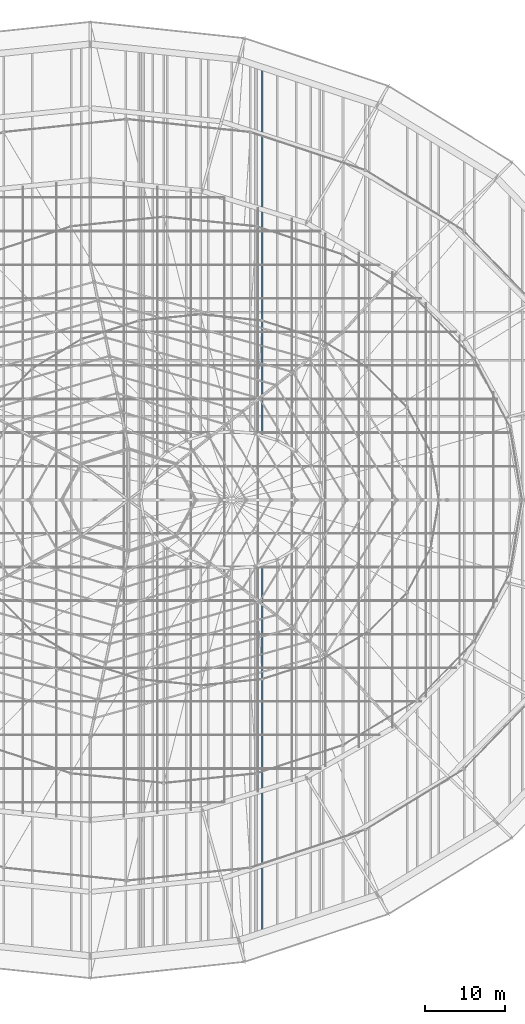
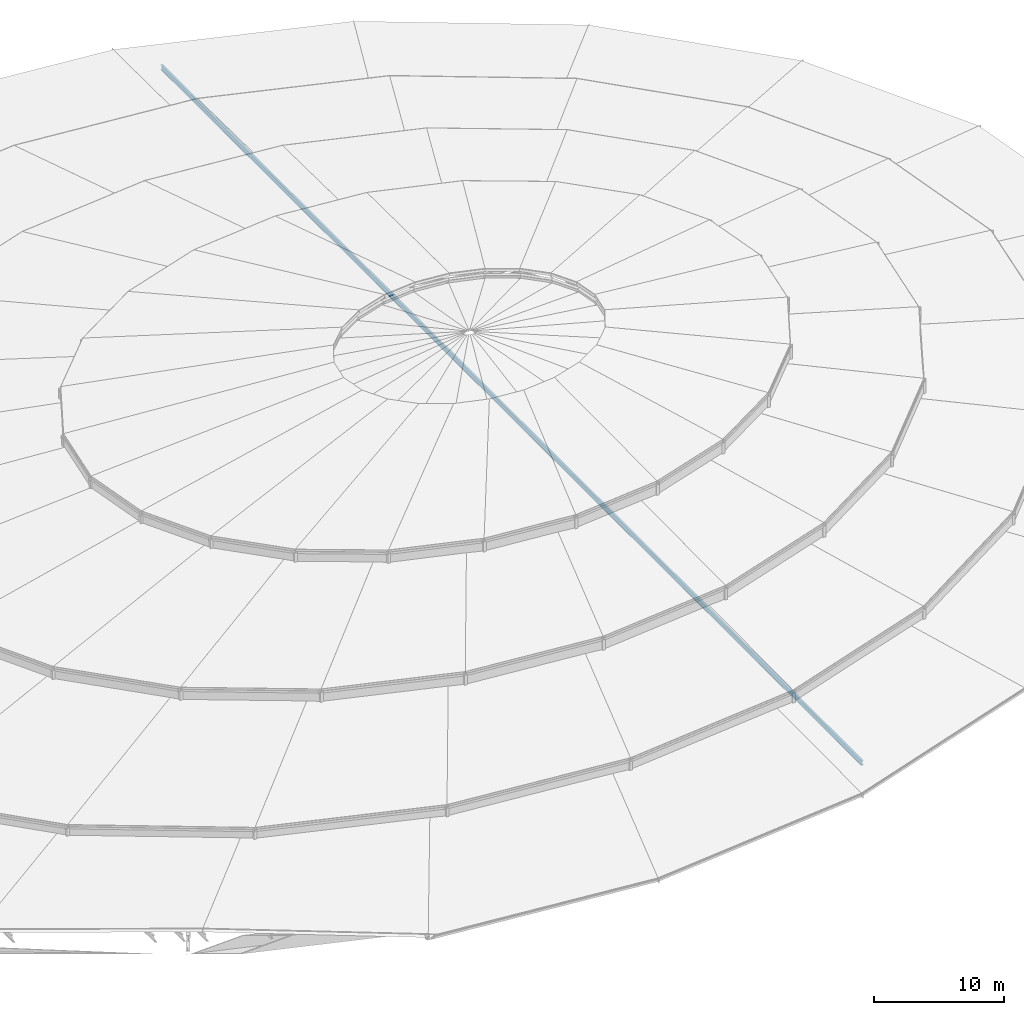
# One storey, part 76 of 184: 1 member.
"""IFC4 building model written with IfcOpenShell, lengths in metres."""

import ifcopenshell
import ifcopenshell.guid

model = None  # the IFC model being written
_history = None  # IfcOwnerHistory: only IFC2X3 demands one
_inside = {}  # id of a spatial element -> (the spatial element, [elements in it])
_under = {}  # id of a project, library or spatial element -> (it, [spatial elements below it])
_declared = {}  # id of a project -> (the project, [libraries it declares])
_typed = {}  # id of a type object -> (the type object, [elements of that type])
_made_of = {}  # id of a material, layer set ... -> (it, [elements and type objects made of it])


def new_model(schema):
    """Start an empty IFC model of exactly this schema.

    Asked for "IFC4X3", IfcOpenShell would pick the latest addendum, in which some entities
    have other attributes; the version numbers below select the first issue.
    IFC2X3 requires an IfcOwnerHistory on every rooted entity: one is made here for all.
    """
    global model, _history
    if schema == "IFC4X3":
        model = ifcopenshell.file(schema_version=(4, 3, 0, 0))
    else:
        model = ifcopenshell.file(schema=schema)
    _inside.clear()
    _under.clear()
    _declared.clear()
    _typed.clear()
    _made_of.clear()
    _history = None
    if model.schema == "IFC2X3":
        org = make("IfcOrganization", Name="unknown")
        user = make(
            "IfcPersonAndOrganization",
            ThePerson=make("IfcPerson", FamilyName="unknown"),
            TheOrganization=org,
        )
        app = make(
            "IfcApplication",
            ApplicationDeveloper=org,
            Version="unknown",
            ApplicationFullName="unknown",
            ApplicationIdentifier="unknown",
        )
        _history = make(
            "IfcOwnerHistory",
            OwningUser=user,
            OwningApplication=app,
            ChangeAction="ADDED",
            CreationDate=0,
        )
    return model


def make(cls, **values):
    """One entity of the class cls with the attributes given. An attribute that is None is left unset."""
    return model.create_entity(
        cls, **{name: value for name, value in values.items() if value is not None}
    )


def rooted(cls, **values):
    """An entity with a GlobalId (a new one), such as an element, a storey or a relation."""
    return make(cls, GlobalId=ifcopenshell.guid.new(), OwnerHistory=_history, **values)


def si_unit(unit_type, name, prefix=None):
    """IfcSIUnit, for example si_unit("LENGTHUNIT", "METRE", prefix="MILLI")."""
    return make("IfcSIUnit", UnitType=unit_type, Prefix=prefix, Name=name)


def assignment(units):
    """IfcUnitAssignment: the units of a project."""
    return None if units is None else make("IfcUnitAssignment", Units=units)


def point(xyz):
    """IfcCartesianPoint."""
    return None if xyz is None else make("IfcCartesianPoint", Coordinates=xyz)


def direction(xyz):
    """IfcDirection."""
    return None if xyz is None else make("IfcDirection", DirectionRatios=xyz)


def frame(location, z_axis=None, x_axis=None):
    """IfcAxis2Placement3D, a coordinate frame: its origin and axes. An axis left out is left unset."""
    return make(
        "IfcAxis2Placement3D",
        Location=point(location),
        Axis=direction(z_axis),
        RefDirection=direction(x_axis),
    )


def frame_2d(location, x_axis=None):
    """IfcAxis2Placement2D, a coordinate frame in the plane: its origin and x axis."""
    return make(
        "IfcAxis2Placement2D", Location=point(location), RefDirection=direction(x_axis)
    )


def origin():
    """The frame at (0, 0, 0) with its axes left unset."""
    return frame((0.0, 0.0, 0.0))


def origin_2d():
    """The frame at (0, 0) in the plane with its x axis left unset."""
    return frame_2d((0.0, 0.0))


def place(relative_to, where):
    """IfcLocalPlacement: puts the frame where relative to a parent placement (None: the world)."""
    return make(
        "IfcLocalPlacement", PlacementRelTo=relative_to, RelativePlacement=where
    )


def context(
    kind, dimensions, precision=None, world=None, true_north=None, identifier=None
):
    """IfcGeometricRepresentationContext, for example the 3D "Model" context."""
    return make(
        "IfcGeometricRepresentationContext",
        ContextIdentifier=identifier,
        ContextType=kind,
        CoordinateSpaceDimension=dimensions,
        Precision=precision,
        WorldCoordinateSystem=world,
        TrueNorth=true_north,
    )


def subcontext(parent, identifier, kind, view, scale=None):
    """IfcGeometricRepresentationSubContext, for example "Body" below "Model"."""
    return make(
        "IfcGeometricRepresentationSubContext",
        ContextIdentifier=identifier,
        ContextType=kind,
        ParentContext=parent,
        TargetScale=scale,
        TargetView=view,
    )


def project(units=None, contexts=None):
    """IfcProject with its units and contexts."""
    return rooted(
        "IfcProject",
        Name="project",
        RepresentationContexts=contexts,
        UnitsInContext=assignment(units),
    )


def spatial(cls, under=None, at=None, **own):
    """A site, building, storey or space (cls), placed at a placement, below another one or the project."""
    s = rooted(cls, ObjectPlacement=at, **own)
    if under is not None:
        _under.setdefault(under.id(), (under, []))[1].append(s)
    return s


def profile(cls, at=None, kind="AREA", **sizes):
    """A parametric profile (cls). Its sizes go by their IFC names, for example OverallWidth=200.0."""
    return make(cls, ProfileType=kind, Position=at, **sizes)


def i_section(**sizes):
    """IfcIShapeProfileDef."""
    return profile("IfcIShapeProfileDef", **sizes)


def extrude(swept, where, along, depth):
    """IfcExtrudedAreaSolid: the profile swept, set in the frame where, extruded along a direction by depth."""
    return make(
        "IfcExtrudedAreaSolid",
        SweptArea=swept,
        Position=where,
        ExtrudedDirection=direction(along),
        Depth=depth,
    )


def shape(context_of_items, identifier, shape_type, items):
    """IfcShapeRepresentation: the items that make up one representation, for example the "Body"."""
    return make(
        "IfcShapeRepresentation",
        ContextOfItems=context_of_items,
        RepresentationIdentifier=identifier,
        RepresentationType=shape_type,
        Items=items,
    )


def material(Name=None, Category=None):
    """IfcMaterial."""
    return make("IfcMaterial", Name=Name, Category=Category)


def material_profile(
    of_material, cross_section, Name=None, Category=None, Priority=None
):
    """IfcMaterialProfile: a cross section and its material."""
    return make(
        "IfcMaterialProfile",
        Name=Name,
        Material=of_material,
        Profile=cross_section,
        Priority=Priority,
        Category=Category,
    )


def profile_set(profiles, Name=None, composite=None):
    """IfcMaterialProfileSet."""
    return make(
        "IfcMaterialProfileSet",
        Name=Name,
        MaterialProfiles=profiles,
        CompositeProfile=composite,
    )


def made_of(thing, what):
    """Note that an element or type object is made of a material, layer set ...; save() writes the relation."""
    if what is not None:
        _made_of.setdefault(what.id(), (what, []))[1].append(thing)
    return thing


def type_object(cls, material=None, **own):
    """A type object (cls), such as IfcWallType, which elements share."""
    return made_of(rooted(cls, **own), material)


def element(
    cls,
    number,
    at=None,
    inside=None,
    cuts=None,
    type_object=None,
    material=None,
    context=None,
    identifier="Body",
    shape_type=None,
    held_by="IfcProductDefinitionShape",
    body=None,
    shapes=None,
    **own,
):
    """One element of the class cls, such as IfcWall. Its Tag is "e" and its number.

    at: its placement. inside: the storey or other place that contains it. cuts: it is an
    opening in that element (IfcRelVoidsElement). A single representation is given by context,
    identifier, shape_type and body (its items); several are given by shapes. held_by: the class
    of the entity that holds the representations. save() writes the other relations.
    """
    e = rooted(cls, Tag="e%d" % number, ObjectPlacement=at, **own)
    if body is not None:
        shapes = [shape(context, identifier, shape_type, body)]
    if shapes is not None:
        e.Representation = make(held_by, Representations=shapes)
    if inside is not None:
        _inside.setdefault(inside.id(), (inside, []))[1].append(e)
    if cuts is not None:
        rooted(
            "IfcRelVoidsElement", RelatingBuildingElement=cuts, RelatedOpeningElement=e
        )
    if type_object is not None:
        _typed.setdefault(type_object.id(), (type_object, []))[1].append(e)
    return made_of(e, material)


def aggregate(whole, parts):
    """IfcRelAggregates: a whole, such as a stair, and the parts it consists of."""
    return rooted("IfcRelAggregates", RelatingObject=whole, RelatedObjects=parts)


def save(model, path):
    """Write the relations noted so far, then the file.

    IfcRelAggregates (storeys below a building ...), IfcRelContainedInSpatialStructure (elements
    in a storey), IfcRelDefinesByType, IfcRelAssociatesMaterial and IfcRelDeclares: one each for
    every whole, place, type object, material and project.
    """
    for whole, parts in _under.values():
        aggregate(whole, parts)
    for where, things in _inside.values():
        rooted(
            "IfcRelContainedInSpatialStructure",
            RelatedElements=things,
            RelatingStructure=where,
        )
    for kind, things in _typed.values():
        rooted("IfcRelDefinesByType", RelatedObjects=things, RelatingType=kind)
    for what, things in _made_of.values():
        rooted("IfcRelAssociatesMaterial", RelatedObjects=things, RelatingMaterial=what)
    for by, libraries in _declared.values():
        rooted("IfcRelDeclares", RelatingContext=by, RelatedDefinitions=libraries)
    model.write(path)


model = new_model("IFC4")

# Units and contexts
model_context = context("Model", 3, precision=1e-05, world=origin(), true_north=direction((0.0, 1.0)))
body_context = subcontext(model_context, "Body", "Model", "MODEL_VIEW")
ifc_project = project(units=[si_unit("LENGTHUNIT", "METRE"), si_unit("AREAUNIT", "SQUARE_METRE"), si_unit("VOLUMEUNIT", "CUBIC_METRE"), si_unit("PLANEANGLEUNIT", "RADIAN"), si_unit("MASSUNIT", "GRAM", prefix="KILO")], contexts=[model_context])

# Site, building, storey
site_placement = place(None, origin())
site = spatial("IfcSite", under=ifc_project, at=site_placement, CompositionType="ELEMENT")
building_placement = place(site_placement, origin())
building = spatial("IfcBuilding", under=site, at=building_placement, Name="Kalgoora Escarpment Arena", CompositionType="ELEMENT")
storey_placement = place(building_placement, frame((0.0, 0.0, 27.60009765625)))
storey = spatial("IfcBuildingStorey", under=building, at=storey_placement, Name="Roof Level", CompositionType="ELEMENT", Elevation=27.60009765625)

# Member
ifc_material = material(Name="Structural steel AS/NZS 3679 (300 MPa)", Category="steel")
ifc_material_profile = material_profile(ifc_material, i_section(OverallWidth=0.19091796875, OverallDepth=0.4599609375, WebThickness=0.010009765625, FlangeThickness=0.01611328125, at=origin_2d()))
ifc_profile_set = profile_set([ifc_material_profile], Name="Structural steel AS/NZS 3679 (300 MPa)")
member_type = type_object("IfcMemberType", Name="MEM-CARRIER-CHORD", PredefinedType="CHORD", material=ifc_profile_set)
member_placement = place(storey_placement, frame((113.912841796875, 9.905517578125, -0.960205078125), z_axis=(0.0, 1.0, 0.0), x_axis=(-1.0, 0.0, 0.0)))
element("IfcMember", 1, at=member_placement, inside=storey, type_object=member_type, Name="Petal RP4 spanning carrier chord C06", PredefinedType="CHORD", context=body_context, shape_type="SweptSolid", body=[
    extrude(i_section(OverallWidth=0.19091796875, OverallDepth=0.4599609375, WebThickness=0.010009765625, FlangeThickness=0.01611328125, at=origin_2d()), origin(), (0.0, 0.0, 1.0), 108.18896484375),
])

save(model, "model.ifc")
